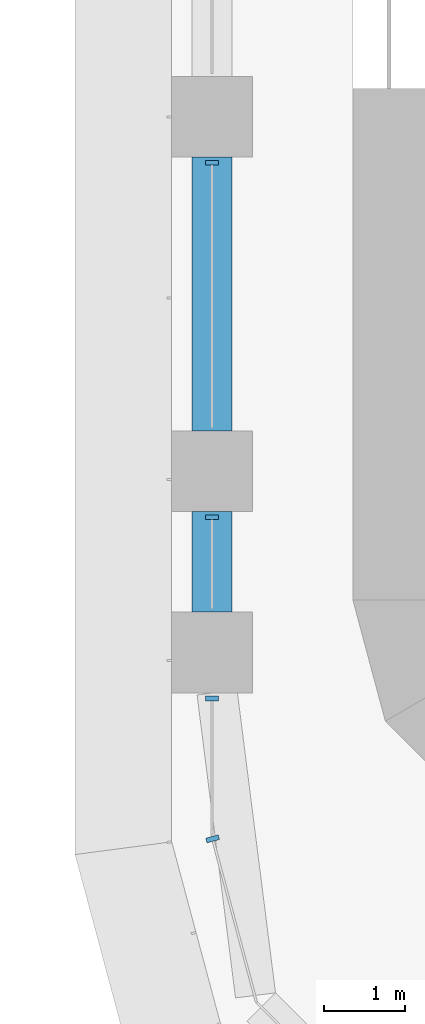
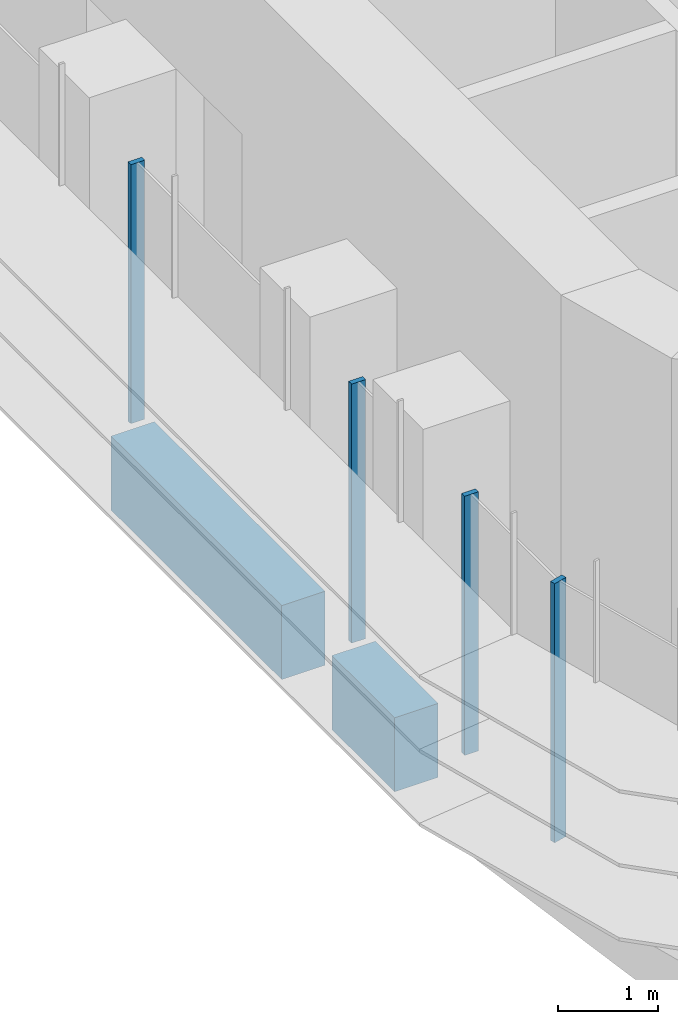
# One storey, part 2 of 23: 4 members, 2 beams, 2 elements without a shape of their own.
"""IFC4 building model written with IfcOpenShell, lengths in metres."""

from ifc_helpers import new_model, si_unit, direction, frame, origin, origin_2d, place, context, subcontext, project, spatial, polyline, rectangle, outline, extrude, source, transform, mapped, material, material_profile, profile_set, type_object, element, aggregate, save


model = new_model("IFC4")

# Units and contexts
model_context = context("Model", 3, precision=1e-05, world=origin(), true_north=direction((0.0, 1.0)))
body_context = subcontext(model_context, "Body", "Model", "MODEL_VIEW")
ifc_project = project(units=[si_unit("LENGTHUNIT", "METRE"), si_unit("AREAUNIT", "SQUARE_METRE"), si_unit("VOLUMEUNIT", "CUBIC_METRE"), si_unit("PLANEANGLEUNIT", "RADIAN"), si_unit("MASSUNIT", "GRAM", prefix="KILO")], contexts=[model_context])

# Site, building, storey
site_placement = place(None, origin())
site = spatial("IfcSite", under=ifc_project, at=site_placement, CompositionType="ELEMENT")
building_placement = place(site_placement, origin())
building = spatial("IfcBuilding", under=site, at=building_placement, Name="Zarbagh Exchange Tower", CompositionType="ELEMENT")
storey_placement = place(building_placement, frame((0.0, 0.0, 64.800048828125)))
storey = spatial("IfcBuildingStorey", under=building, at=storey_placement, Name="L14", CompositionType="ELEMENT", Elevation=64.800048828125)

# Beams
ifc_material_1 = material(Name="Concrete C60/75", Category="concrete")
ifc_material_profile = material_profile(ifc_material_1, rectangle(XDim=0.5, YDim=0.89990234375, at=origin_2d()), Name="RC spandrel beam 500 x 900 C60/75")
ifc_profile_set = profile_set([ifc_material_profile], Name="Concrete C60/75")
beam_type = type_object("IfcBeamType", Name="RC spandrel beam 500 x 900 C60/75", PredefinedType="SPANDREL", material=ifc_profile_set)
beam_1_placement = place(storey_placement, frame((-6.25, -26.39990234375, -0.60009765625), z_axis=(0.0, 1.0, 0.0), x_axis=(-1.0, 0.0, 0.0)))
element("IfcBeam", 1, at=beam_1_placement, inside=storey, type_object=beam_type, Name="RC spandrel beam", PredefinedType="SPANDREL", context=body_context, shape_type="SweptSolid", body=[
    extrude(rectangle(XDim=0.5, YDim=0.89990234375, at=origin_2d()), origin(), (0.0, 0.0, 1.0), 1.25),
])
beam_2_placement = place(storey_placement, frame((-6.25, -24.14990234375, -0.60009765625), z_axis=(0.0, 1.0, 0.0), x_axis=(-1.0, 0.0, 0.0)))
element("IfcBeam", 2, at=beam_2_placement, inside=storey, type_object=beam_type, Name="RC spandrel beam", PredefinedType="SPANDREL", context=body_context, shape_type="SweptSolid", body=[
    extrude(rectangle(XDim=0.5, YDim=0.89990234375, at=origin_2d()), origin(), (0.0, 0.0, 1.0), 3.39990234375),
])

# Curtain wall, members
ifc_material_2 = material(Name="Anodised aluminium frame and glazing", Category="aluminium")
curtain_wall_type = type_object("IfcCurtainWallType", Name="CWA Ribbon glazing, lower zones", PredefinedType="NOTDEFINED", material=ifc_material_2)
curtain_wall_1_placement = place(storey_placement, origin())
curtain_wall_1 = element("IfcCurtainWall", 3, at=curtain_wall_1_placement, inside=storey, type_object=curtain_wall_type, Name="CWA44 curtain wall", PredefinedType="NOTDEFINED")
ifc_material_3 = material(Name="Anodised aluminium frame", Category="aluminium")
member_type = type_object("IfcMemberType", Name="MUA Mullion, anodised aluminium frame", PredefinedType="MULLION", material=ifc_material_3)
shared_shape = source(origin(), body_context, "Body", "SweptSolid", [
    extrude(outline(polyline([(0.0, -0.080078125), (0.06005859375, -0.080078125), (0.06005859375, 0.080078125), (0.0, 0.080078125), (0.0, -0.080078125)])), origin(), (0.0, 0.0, 1.0), 3.14990234375),
])
placement = place(storey_placement, origin())
member_1 = element("IfcMember", 4, at=placement, type_object=member_type, Name="CWA44 mullion 3.1", PredefinedType="MULLION", context=body_context, shape_type="MappedRepresentation", body=[
    mapped(shared_shape, transform((-6.25, -20.7900390625, 0.0), x_axis=(0.0, -1.0, 0.0), y_axis=(1.0, 0.0, 0.0), z_axis=(0.0, 0.0, 1.0))),
])
member_2 = element("IfcMember", 5, at=placement, type_object=member_type, Name="CWA44 mullion 4.1", PredefinedType="MULLION", context=body_context, shape_type="MappedRepresentation", body=[
    mapped(shared_shape, transform((-6.25, -25.18994140625, 0.0), x_axis=(0.0, -1.0, 0.0), y_axis=(1.0, 0.0, 0.0), z_axis=(0.0, 0.0, 1.0))),
])
member_3 = element("IfcMember", 6, at=placement, type_object=member_type, Name="CWA44 mullion 5.1", PredefinedType="MULLION", context=body_context, shape_type="MappedRepresentation", body=[
    mapped(shared_shape, transform((-6.25, -27.43994140625, 0.0), x_axis=(0.0, -1.0, 0.0), y_axis=(1.0, 0.0, 0.0), z_axis=(0.0, 0.0, 1.0))),
])
aggregate(curtain_wall_1, [member_1, member_2, member_3])

# Curtain wall, member
curtain_wall_2_placement = place(storey_placement, origin())
curtain_wall_2 = element("IfcCurtainWall", 7, at=curtain_wall_2_placement, inside=storey, type_object=curtain_wall_type, Name="CWA45 curtain wall", PredefinedType="NOTDEFINED")
member_4 = element("IfcMember", 8, at=placement, type_object=member_type, Name="CWA45 mullion 1.1", PredefinedType="MULLION", context=body_context, shape_type="MappedRepresentation", body=[
    mapped(shared_shape, transform((-6.25, -29.18408203125, 0.0), x_axis=(0.258824779902, -0.965924289636, 0.0), y_axis=(0.965924289636, 0.258824779902, 0.0), z_axis=(0.0, 0.0, 1.0))),
])
aggregate(curtain_wall_2, [member_4])

save(model, "model.ifc")
